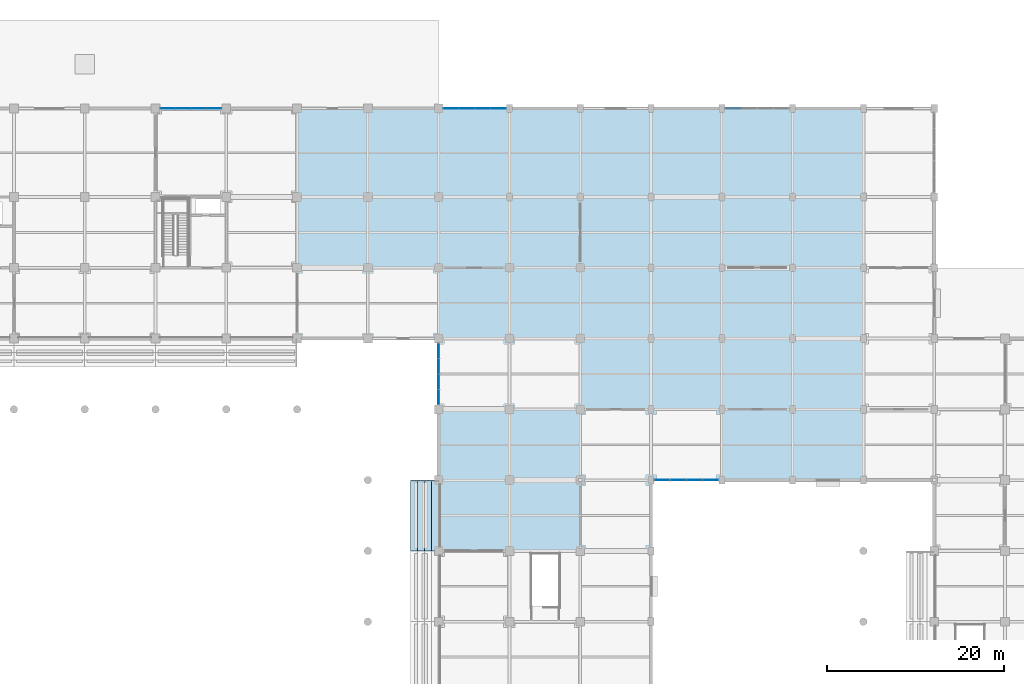
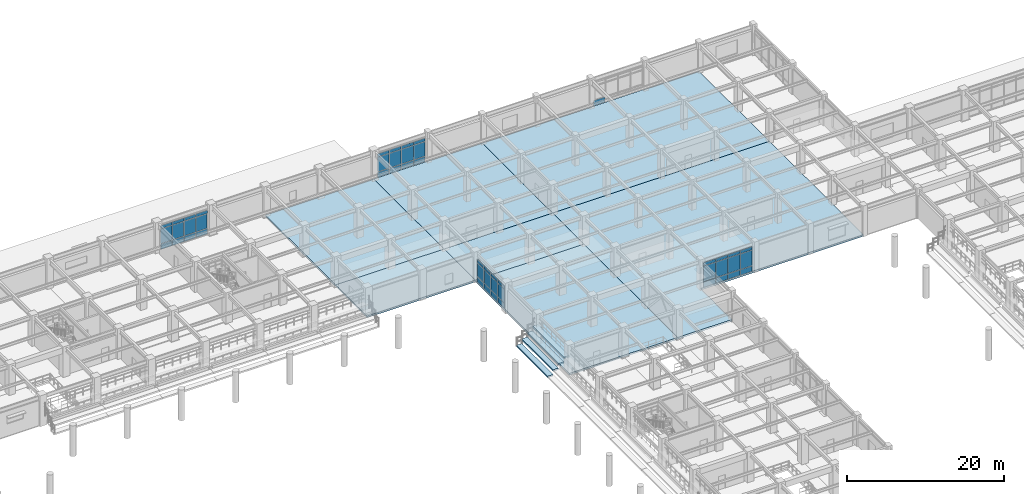
# One storey, part 68 of 117: 49 plates, 11 slabs, 5 elements without a shape of their own.
"""IFC4 building model written with IfcOpenShell, lengths in metres."""

from ifc_helpers import new_model, si_unit, direction, frame, origin, origin_2d, place, context, subcontext, project, spatial, polyline, rectangle, outline, extrude, material, layer, layer_set, type_object, element, aggregate, save


model = new_model("IFC4")

# Units and contexts
model_context = context("Model", 3, precision=1e-05, world=origin(), true_north=direction((0.0, 1.0)))
body_context = subcontext(model_context, "Body", "Model", "MODEL_VIEW")
ifc_project = project(units=[si_unit("LENGTHUNIT", "METRE"), si_unit("AREAUNIT", "SQUARE_METRE"), si_unit("VOLUMEUNIT", "CUBIC_METRE"), si_unit("PLANEANGLEUNIT", "RADIAN"), si_unit("MASSUNIT", "GRAM", prefix="KILO")], contexts=[model_context])

# Site, building, storey
site_placement = place(None, origin())
site = spatial("IfcSite", under=ifc_project, at=site_placement, CompositionType="ELEMENT")
building_placement = place(site_placement, origin())
building = spatial("IfcBuilding", under=site, at=building_placement, Name="Haebicheon Civic Stadium", CompositionType="ELEMENT")
storey_placement = place(building_placement, frame((0.0, 0.0, 4.800048828125)))
storey = spatial("IfcBuildingStorey", under=building, at=storey_placement, Name="L02", CompositionType="ELEMENT", Elevation=4.800048828125)

# Curtain wall, plates
ifc_material_1 = material(Name="Anodised aluminium and laminated glass", Category="aluminium")
ifc_layer_1 = layer(ifc_material_1, 0.179931640625, Name="Anodised aluminium and laminated glass")
ifc_layer_set_1 = layer_set([ifc_layer_1], Name="Anodised aluminium and laminated glass")
curtain_wall_type_1 = type_object("IfcCurtainWallType", Name="CW-7000x3770", PredefinedType="NOTDEFINED", material=ifc_layer_set_1)
curtain_wall_1_placement = place(storey_placement, origin())
curtain_wall_1 = element("IfcCurtainWall", 1, at=curtain_wall_1_placement, inside=storey, type_object=curtain_wall_type_1, material=ifc_layer_set_1, Name="L02 unitised curtain wall 048", PredefinedType="NOTDEFINED")
ifc_material_2 = material(Name="Double low-e laminated glass", Category="glass")
ifc_layer_2 = layer(ifc_material_2, 0.028076171875, Name="Double low-e laminated glass")
ifc_layer_set_2 = layer_set([ifc_layer_2], Name="Double low-e laminated glass")
plate_type_1 = type_object("IfcPlateType", Name="CWP-GLZ-28", PredefinedType="CURTAIN_PANEL", material=ifc_layer_set_2)
plate_1_placement = place(storey_placement, frame((113.39208984375, 178.0, 0.93505859375), z_axis=(0.0, 0.0, 1.0), x_axis=(1.0, 0.0, 0.0)))
plate_1 = element("IfcPlate", 2, at=plate_1_placement, type_object=plate_type_1, material=ifc_layer_set_2, Name="CW-L02-048 vision panel 1.2", PredefinedType="CURTAIN_PANEL", context=body_context, shape_type="SweptSolid", body=[
    extrude(rectangle(XDim=1.64501953125, YDim=0.028076171875, at=origin_2d()), origin(), (0.0, 0.0, 1.0), 2.25),
])
plate_2_placement = place(storey_placement, frame((115.125, 178.0, 0.93505859375), z_axis=(0.0, 0.0, 1.0), x_axis=(1.0, 0.0, 0.0)))
plate_2 = element("IfcPlate", 3, at=plate_2_placement, type_object=plate_type_1, material=ifc_layer_set_2, Name="CW-L02-048 vision panel 2.2", PredefinedType="CURTAIN_PANEL", context=body_context, shape_type="SweptSolid", body=[
    extrude(rectangle(XDim=1.679931640625, YDim=0.028076171875, at=origin_2d()), origin(), (0.0, 0.0, 1.0), 2.25),
])
plate_3_placement = place(storey_placement, frame((116.875, 178.0, 0.93505859375), z_axis=(0.0, 0.0, 1.0), x_axis=(1.0, 0.0, 0.0)))
plate_3 = element("IfcPlate", 4, at=plate_3_placement, type_object=plate_type_1, material=ifc_layer_set_2, Name="CW-L02-048 vision panel 3.2", PredefinedType="CURTAIN_PANEL", context=body_context, shape_type="SweptSolid", body=[
    extrude(rectangle(XDim=1.679931640625, YDim=0.028076171875, at=origin_2d()), origin(), (0.0, 0.0, 1.0), 2.25),
])
plate_4_placement = place(storey_placement, frame((118.60791015625, 178.0, 0.93505859375), z_axis=(0.0, 0.0, 1.0), x_axis=(1.0, 0.0, 0.0)))
plate_4 = element("IfcPlate", 5, at=plate_4_placement, type_object=plate_type_1, material=ifc_layer_set_2, Name="CW-L02-048 vision panel 4.2", PredefinedType="CURTAIN_PANEL", context=body_context, shape_type="SweptSolid", body=[
    extrude(rectangle(XDim=1.64501953125, YDim=0.028076171875, at=origin_2d()), origin(), (0.0, 0.0, 1.0), 2.25),
])

ifc_material_3 = material(Name="Anodised aluminium and laminated glass", Category="aluminium")
ifc_layer_3 = layer(ifc_material_3, 0.179931640625, Name="Anodised aluminium and laminated glass")
ifc_layer_set_3 = layer_set([ifc_layer_3], Name="Anodised aluminium and laminated glass")
curtain_wall_type_2 = type_object("IfcCurtainWallType", Name="CW-7000x3610", PredefinedType="NOTDEFINED", material=ifc_layer_set_3)
curtain_wall_2_placement = place(storey_placement, origin())
curtain_wall_2 = element("IfcCurtainWall", 6, at=curtain_wall_2_placement, inside=storey, type_object=curtain_wall_type_2, material=ifc_layer_set_3, Name="L02 unitised curtain wall 051", PredefinedType="NOTDEFINED")
plate_5_placement = place(storey_placement, frame((144.0, 145.39208984375, 0.93505859375), z_axis=(0.0, 0.0, 1.0), x_axis=(0.0, 1.0, 0.0)))
plate_5 = element("IfcPlate", 7, at=plate_5_placement, type_object=plate_type_1, material=ifc_layer_set_2, Name="CW-L02-051 vision panel 1.2", PredefinedType="CURTAIN_PANEL", context=body_context, shape_type="SweptSolid", body=[
    extrude(rectangle(XDim=1.64501953125, YDim=0.028076171875, at=origin_2d()), origin(), (0.0, 0.0, 1.0), 2.090087890625),
])
plate_6_placement = place(storey_placement, frame((144.0, 147.125, 0.93505859375), z_axis=(0.0, 0.0, 1.0), x_axis=(0.0, 1.0, 0.0)))
plate_6 = element("IfcPlate", 8, at=plate_6_placement, type_object=plate_type_1, material=ifc_layer_set_2, Name="CW-L02-051 vision panel 2.2", PredefinedType="CURTAIN_PANEL", context=body_context, shape_type="SweptSolid", body=[
    extrude(rectangle(XDim=1.679931640625, YDim=0.028076171875, at=origin_2d()), origin(), (0.0, 0.0, 1.0), 2.090087890625),
])
plate_7_placement = place(storey_placement, frame((144.0, 148.875, 0.93505859375), z_axis=(0.0, 0.0, 1.0), x_axis=(0.0, 1.0, 0.0)))
plate_7 = element("IfcPlate", 9, at=plate_7_placement, type_object=plate_type_1, material=ifc_layer_set_2, Name="CW-L02-051 vision panel 3.2", PredefinedType="CURTAIN_PANEL", context=body_context, shape_type="SweptSolid", body=[
    extrude(rectangle(XDim=1.679931640625, YDim=0.028076171875, at=origin_2d()), origin(), (0.0, 0.0, 1.0), 2.090087890625),
])
plate_8_placement = place(storey_placement, frame((144.0, 150.60791015625, 0.93505859375), z_axis=(0.0, 0.0, 1.0), x_axis=(0.0, 1.0, 0.0)))
plate_8 = element("IfcPlate", 10, at=plate_8_placement, type_object=plate_type_1, material=ifc_layer_set_2, Name="CW-L02-051 vision panel 4.2", PredefinedType="CURTAIN_PANEL", context=body_context, shape_type="SweptSolid", body=[
    extrude(rectangle(XDim=1.64501953125, YDim=0.028076171875, at=origin_2d()), origin(), (0.0, 0.0, 1.0), 2.090087890625),
])

ifc_material_4 = material(Name="Anodised aluminium and laminated glass", Category="aluminium")
ifc_layer_4 = layer(ifc_material_4, 0.179931640625, Name="Anodised aluminium and laminated glass")
ifc_layer_set_4 = layer_set([ifc_layer_4], Name="Anodised aluminium and laminated glass")
curtain_wall_type_3 = type_object("IfcCurtainWallType", Name="CW-7150x3770", PredefinedType="NOTDEFINED", material=ifc_layer_set_4)
curtain_wall_3_placement = place(storey_placement, origin())
curtain_wall_3 = element("IfcCurtainWall", 11, at=curtain_wall_3_placement, inside=storey, type_object=curtain_wall_type_3, material=ifc_layer_set_4, Name="L02 unitised curtain wall 052", PredefinedType="NOTDEFINED")
plate_9_placement = place(storey_placement, frame((145.412109375, 178.0, 0.93505859375), z_axis=(0.0, 0.0, 1.0), x_axis=(1.0, 0.0, 0.0)))
plate_9 = element("IfcPlate", 12, at=plate_9_placement, type_object=plate_type_1, material=ifc_layer_set_2, Name="CW-L02-052 vision panel 1.2", PredefinedType="CURTAIN_PANEL", context=body_context, shape_type="SweptSolid", body=[
    extrude(rectangle(XDim=1.68310546875, YDim=0.028076171875, at=origin_2d()), origin(), (0.0, 0.0, 1.0), 2.25),
])
plate_10_placement = place(storey_placement, frame((147.181884765625, 178.0, 0.93505859375), z_axis=(0.0, 0.0, 1.0), x_axis=(1.0, 0.0, 0.0)))
plate_10 = element("IfcPlate", 13, at=plate_10_placement, type_object=plate_type_1, material=ifc_layer_set_2, Name="CW-L02-052 vision panel 2.2", PredefinedType="CURTAIN_PANEL", context=body_context, shape_type="SweptSolid", body=[
    extrude(rectangle(XDim=1.717041015625, YDim=0.028076171875, at=origin_2d()), origin(), (0.0, 0.0, 1.0), 2.25),
])
plate_11_placement = place(storey_placement, frame((148.968994140625, 178.0, 0.93505859375), z_axis=(0.0, 0.0, 1.0), x_axis=(1.0, 0.0, 0.0)))
plate_11 = element("IfcPlate", 14, at=plate_11_placement, type_object=plate_type_1, material=ifc_layer_set_2, Name="CW-L02-052 vision panel 3.2", PredefinedType="CURTAIN_PANEL", context=body_context, shape_type="SweptSolid", body=[
    extrude(rectangle(XDim=1.718017578125, YDim=0.028076171875, at=origin_2d()), origin(), (0.0, 0.0, 1.0), 2.25),
])
plate_12_placement = place(storey_placement, frame((150.739013671875, 178.0, 0.93505859375), z_axis=(0.0, 0.0, 1.0), x_axis=(1.0, 0.0, 0.0)))
plate_12 = element("IfcPlate", 15, at=plate_12_placement, type_object=plate_type_1, material=ifc_layer_set_2, Name="CW-L02-052 vision panel 4.2", PredefinedType="CURTAIN_PANEL", context=body_context, shape_type="SweptSolid", body=[
    extrude(rectangle(XDim=1.681884765625, YDim=0.028076171875, at=origin_2d()), origin(), (0.0, 0.0, 1.0), 2.25),
])

ifc_material_5 = material(Name="Anodised aluminium and laminated glass", Category="aluminium")
ifc_layer_5 = layer(ifc_material_5, 0.179931640625, Name="Anodised aluminium and laminated glass")
ifc_layer_set_5 = layer_set([ifc_layer_5], Name="Anodised aluminium and laminated glass")
curtain_wall_type_4 = type_object("IfcCurtainWallType", Name="CW-7300x3910", PredefinedType="NOTDEFINED", material=ifc_layer_set_5)
curtain_wall_4_placement = place(storey_placement, origin())
curtain_wall_4 = element("IfcCurtainWall", 16, at=curtain_wall_4_placement, inside=storey, type_object=curtain_wall_type_4, material=ifc_layer_set_5, Name="L02 unitised curtain wall 057", PredefinedType="NOTDEFINED")
plate_13_placement = place(storey_placement, frame((169.280029296875, 136.0, 0.93505859375), z_axis=(0.0, 0.0, 1.0), x_axis=(1.0, 0.0, 0.0)))
plate_13 = element("IfcPlate", 17, at=plate_13_placement, type_object=plate_type_1, material=ifc_layer_set_2, Name="CW-L02-057 vision panel 1.2", PredefinedType="CURTAIN_PANEL", context=body_context, shape_type="SweptSolid", body=[
    extrude(rectangle(XDim=1.719970703125, YDim=0.028076171875, at=origin_2d()), origin(), (0.0, 0.0, 1.0), 2.389892578125),
])
plate_14_placement = place(storey_placement, frame((171.087890625, 136.0, 0.93505859375), z_axis=(0.0, 0.0, 1.0), x_axis=(1.0, 0.0, 0.0)))
plate_14 = element("IfcPlate", 18, at=plate_14_placement, type_object=plate_type_1, material=ifc_layer_set_2, Name="CW-L02-057 vision panel 2.2", PredefinedType="CURTAIN_PANEL", context=body_context, shape_type="SweptSolid", body=[
    extrude(rectangle(XDim=1.7548828125, YDim=0.028076171875, at=origin_2d()), origin(), (0.0, 0.0, 1.0), 2.389892578125),
])
plate_15_placement = place(storey_placement, frame((172.912109375, 136.0, 0.93505859375), z_axis=(0.0, 0.0, 1.0), x_axis=(1.0, 0.0, 0.0)))
plate_15 = element("IfcPlate", 19, at=plate_15_placement, type_object=plate_type_1, material=ifc_layer_set_2, Name="CW-L02-057 vision panel 3.2", PredefinedType="CURTAIN_PANEL", context=body_context, shape_type="SweptSolid", body=[
    extrude(rectangle(XDim=1.7548828125, YDim=0.028076171875, at=origin_2d()), origin(), (0.0, 0.0, 1.0), 2.389892578125),
])
plate_16_placement = place(storey_placement, frame((174.719970703125, 136.0, 0.93505859375), z_axis=(0.0, 0.0, 1.0), x_axis=(1.0, 0.0, 0.0)))
plate_16 = element("IfcPlate", 20, at=plate_16_placement, type_object=plate_type_1, material=ifc_layer_set_2, Name="CW-L02-057 vision panel 4.2", PredefinedType="CURTAIN_PANEL", context=body_context, shape_type="SweptSolid", body=[
    extrude(rectangle(XDim=1.719970703125, YDim=0.028076171875, at=origin_2d()), origin(), (0.0, 0.0, 1.0), 2.389892578125),
])

# Plate
ifc_material_6 = material(Name="Anodised aluminium 6063-T6", Category="aluminium")
ifc_layer_6 = layer(ifc_material_6, 0.053955078125, Name="Anodised aluminium 6063-T6")
ifc_layer_set_6 = layer_set([ifc_layer_6], Name="Anodised aluminium 6063-T6")
plate_type_2 = type_object("IfcPlateType", Name="CWP-SPD-54", PredefinedType="CURTAIN_PANEL", material=ifc_layer_set_6)
plate_17_placement = place(storey_placement, frame((113.39208984375, 178.0, 0.034912109375), z_axis=(0.0, 0.0, 1.0), x_axis=(1.0, 0.0, 0.0)))
plate_17 = element("IfcPlate", 21, at=plate_17_placement, type_object=plate_type_2, material=ifc_layer_set_6, Name="CW-L02-048 spandrel panel 1.1", PredefinedType="CURTAIN_PANEL", context=body_context, shape_type="SweptSolid", body=[
    extrude(rectangle(XDim=1.64501953125, YDim=0.053955078125, at=origin_2d()), origin(), (0.0, 0.0, 1.0), 0.830078125),
])

plate_18_placement = place(storey_placement, frame((113.39208984375, 178.0, 3.2548828125), z_axis=(0.0, 0.0, 1.0), x_axis=(1.0, 0.0, 0.0)))
plate_18 = element("IfcPlate", 22, at=plate_18_placement, type_object=plate_type_2, material=ifc_layer_set_6, Name="CW-L02-048 spandrel panel 1.3", PredefinedType="CURTAIN_PANEL", context=body_context, shape_type="SweptSolid", body=[
    extrude(rectangle(XDim=1.64501953125, YDim=0.053955078125, at=origin_2d()), origin(), (0.0, 0.0, 1.0), 0.47998046875),
])

plate_19_placement = place(storey_placement, frame((115.125, 178.0, 0.034912109375), z_axis=(0.0, 0.0, 1.0), x_axis=(1.0, 0.0, 0.0)))
plate_19 = element("IfcPlate", 23, at=plate_19_placement, type_object=plate_type_2, material=ifc_layer_set_6, Name="CW-L02-048 spandrel panel 2.1", PredefinedType="CURTAIN_PANEL", context=body_context, shape_type="SweptSolid", body=[
    extrude(rectangle(XDim=1.679931640625, YDim=0.053955078125, at=origin_2d()), origin(), (0.0, 0.0, 1.0), 0.830078125),
])

plate_20_placement = place(storey_placement, frame((115.125, 178.0, 3.2548828125), z_axis=(0.0, 0.0, 1.0), x_axis=(1.0, 0.0, 0.0)))
plate_20 = element("IfcPlate", 24, at=plate_20_placement, type_object=plate_type_2, material=ifc_layer_set_6, Name="CW-L02-048 spandrel panel 2.3", PredefinedType="CURTAIN_PANEL", context=body_context, shape_type="SweptSolid", body=[
    extrude(rectangle(XDim=1.679931640625, YDim=0.053955078125, at=origin_2d()), origin(), (0.0, 0.0, 1.0), 0.47998046875),
])

plate_21_placement = place(storey_placement, frame((116.875, 178.0, 0.034912109375), z_axis=(0.0, 0.0, 1.0), x_axis=(1.0, 0.0, 0.0)))
plate_21 = element("IfcPlate", 25, at=plate_21_placement, type_object=plate_type_2, material=ifc_layer_set_6, Name="CW-L02-048 spandrel panel 3.1", PredefinedType="CURTAIN_PANEL", context=body_context, shape_type="SweptSolid", body=[
    extrude(rectangle(XDim=1.679931640625, YDim=0.053955078125, at=origin_2d()), origin(), (0.0, 0.0, 1.0), 0.830078125),
])

plate_22_placement = place(storey_placement, frame((116.875, 178.0, 3.2548828125), z_axis=(0.0, 0.0, 1.0), x_axis=(1.0, 0.0, 0.0)))
plate_22 = element("IfcPlate", 26, at=plate_22_placement, type_object=plate_type_2, material=ifc_layer_set_6, Name="CW-L02-048 spandrel panel 3.3", PredefinedType="CURTAIN_PANEL", context=body_context, shape_type="SweptSolid", body=[
    extrude(rectangle(XDim=1.679931640625, YDim=0.053955078125, at=origin_2d()), origin(), (0.0, 0.0, 1.0), 0.47998046875),
])

plate_23_placement = place(storey_placement, frame((118.60791015625, 178.0, 0.034912109375), z_axis=(0.0, 0.0, 1.0), x_axis=(1.0, 0.0, 0.0)))
plate_23 = element("IfcPlate", 27, at=plate_23_placement, type_object=plate_type_2, material=ifc_layer_set_6, Name="CW-L02-048 spandrel panel 4.1", PredefinedType="CURTAIN_PANEL", context=body_context, shape_type="SweptSolid", body=[
    extrude(rectangle(XDim=1.64501953125, YDim=0.053955078125, at=origin_2d()), origin(), (0.0, 0.0, 1.0), 0.830078125),
])

plate_24_placement = place(storey_placement, frame((118.60791015625, 178.0, 3.2548828125), z_axis=(0.0, 0.0, 1.0), x_axis=(1.0, 0.0, 0.0)))
plate_24 = element("IfcPlate", 28, at=plate_24_placement, type_object=plate_type_2, material=ifc_layer_set_6, Name="CW-L02-048 spandrel panel 4.3", PredefinedType="CURTAIN_PANEL", context=body_context, shape_type="SweptSolid", body=[
    extrude(rectangle(XDim=1.64501953125, YDim=0.053955078125, at=origin_2d()), origin(), (0.0, 0.0, 1.0), 0.47998046875),
])

aggregate(curtain_wall_1, [plate_17, plate_1, plate_18, plate_19, plate_2, plate_20, plate_21, plate_3, plate_22, plate_23, plate_4, plate_24])

plate_25_placement = place(storey_placement, frame((144.0, 145.39208984375, 0.034912109375), z_axis=(0.0, 0.0, 1.0), x_axis=(0.0, 1.0, 0.0)))
plate_25 = element("IfcPlate", 29, at=plate_25_placement, type_object=plate_type_2, material=ifc_layer_set_6, Name="CW-L02-051 spandrel panel 1.1", PredefinedType="CURTAIN_PANEL", context=body_context, shape_type="SweptSolid", body=[
    extrude(rectangle(XDim=1.64501953125, YDim=0.053955078125, at=origin_2d()), origin(), (0.0, 0.0, 1.0), 0.830078125),
])

plate_26_placement = place(storey_placement, frame((144.0, 145.39208984375, 3.094970703125), z_axis=(0.0, 0.0, 1.0), x_axis=(0.0, 1.0, 0.0)))
plate_26 = element("IfcPlate", 30, at=plate_26_placement, type_object=plate_type_2, material=ifc_layer_set_6, Name="CW-L02-051 spandrel panel 1.3", PredefinedType="CURTAIN_PANEL", context=body_context, shape_type="SweptSolid", body=[
    extrude(rectangle(XDim=1.64501953125, YDim=0.053955078125, at=origin_2d()), origin(), (0.0, 0.0, 1.0), 0.47998046875),
])

plate_27_placement = place(storey_placement, frame((144.0, 147.125, 0.034912109375), z_axis=(0.0, 0.0, 1.0), x_axis=(0.0, 1.0, 0.0)))
plate_27 = element("IfcPlate", 31, at=plate_27_placement, type_object=plate_type_2, material=ifc_layer_set_6, Name="CW-L02-051 spandrel panel 2.1", PredefinedType="CURTAIN_PANEL", context=body_context, shape_type="SweptSolid", body=[
    extrude(rectangle(XDim=1.679931640625, YDim=0.053955078125, at=origin_2d()), origin(), (0.0, 0.0, 1.0), 0.830078125),
])

plate_28_placement = place(storey_placement, frame((144.0, 147.125, 3.094970703125), z_axis=(0.0, 0.0, 1.0), x_axis=(0.0, 1.0, 0.0)))
plate_28 = element("IfcPlate", 32, at=plate_28_placement, type_object=plate_type_2, material=ifc_layer_set_6, Name="CW-L02-051 spandrel panel 2.3", PredefinedType="CURTAIN_PANEL", context=body_context, shape_type="SweptSolid", body=[
    extrude(rectangle(XDim=1.679931640625, YDim=0.053955078125, at=origin_2d()), origin(), (0.0, 0.0, 1.0), 0.47998046875),
])

plate_29_placement = place(storey_placement, frame((144.0, 148.875, 0.034912109375), z_axis=(0.0, 0.0, 1.0), x_axis=(0.0, 1.0, 0.0)))
plate_29 = element("IfcPlate", 33, at=plate_29_placement, type_object=plate_type_2, material=ifc_layer_set_6, Name="CW-L02-051 spandrel panel 3.1", PredefinedType="CURTAIN_PANEL", context=body_context, shape_type="SweptSolid", body=[
    extrude(rectangle(XDim=1.679931640625, YDim=0.053955078125, at=origin_2d()), origin(), (0.0, 0.0, 1.0), 0.830078125),
])

plate_30_placement = place(storey_placement, frame((144.0, 148.875, 3.094970703125), z_axis=(0.0, 0.0, 1.0), x_axis=(0.0, 1.0, 0.0)))
plate_30 = element("IfcPlate", 34, at=plate_30_placement, type_object=plate_type_2, material=ifc_layer_set_6, Name="CW-L02-051 spandrel panel 3.3", PredefinedType="CURTAIN_PANEL", context=body_context, shape_type="SweptSolid", body=[
    extrude(rectangle(XDim=1.679931640625, YDim=0.053955078125, at=origin_2d()), origin(), (0.0, 0.0, 1.0), 0.47998046875),
])

plate_31_placement = place(storey_placement, frame((144.0, 150.60791015625, 0.034912109375), z_axis=(0.0, 0.0, 1.0), x_axis=(0.0, 1.0, 0.0)))
plate_31 = element("IfcPlate", 35, at=plate_31_placement, type_object=plate_type_2, material=ifc_layer_set_6, Name="CW-L02-051 spandrel panel 4.1", PredefinedType="CURTAIN_PANEL", context=body_context, shape_type="SweptSolid", body=[
    extrude(rectangle(XDim=1.64501953125, YDim=0.053955078125, at=origin_2d()), origin(), (0.0, 0.0, 1.0), 0.830078125),
])

plate_32_placement = place(storey_placement, frame((144.0, 150.60791015625, 3.094970703125), z_axis=(0.0, 0.0, 1.0), x_axis=(0.0, 1.0, 0.0)))
plate_32 = element("IfcPlate", 36, at=plate_32_placement, type_object=plate_type_2, material=ifc_layer_set_6, Name="CW-L02-051 spandrel panel 4.3", PredefinedType="CURTAIN_PANEL", context=body_context, shape_type="SweptSolid", body=[
    extrude(rectangle(XDim=1.64501953125, YDim=0.053955078125, at=origin_2d()), origin(), (0.0, 0.0, 1.0), 0.47998046875),
])

aggregate(curtain_wall_2, [plate_25, plate_5, plate_26, plate_27, plate_6, plate_28, plate_29, plate_7, plate_30, plate_31, plate_8, plate_32])

plate_33_placement = place(storey_placement, frame((145.412109375, 178.0, 0.034912109375), z_axis=(0.0, 0.0, 1.0), x_axis=(1.0, 0.0, 0.0)))
plate_33 = element("IfcPlate", 37, at=plate_33_placement, type_object=plate_type_2, material=ifc_layer_set_6, Name="CW-L02-052 spandrel panel 1.1", PredefinedType="CURTAIN_PANEL", context=body_context, shape_type="SweptSolid", body=[
    extrude(rectangle(XDim=1.68310546875, YDim=0.053955078125, at=origin_2d()), origin(), (0.0, 0.0, 1.0), 0.830078125),
])

plate_34_placement = place(storey_placement, frame((145.412109375, 178.0, 3.2548828125), z_axis=(0.0, 0.0, 1.0), x_axis=(1.0, 0.0, 0.0)))
plate_34 = element("IfcPlate", 38, at=plate_34_placement, type_object=plate_type_2, material=ifc_layer_set_6, Name="CW-L02-052 spandrel panel 1.3", PredefinedType="CURTAIN_PANEL", context=body_context, shape_type="SweptSolid", body=[
    extrude(rectangle(XDim=1.68310546875, YDim=0.053955078125, at=origin_2d()), origin(), (0.0, 0.0, 1.0), 0.47998046875),
])

plate_35_placement = place(storey_placement, frame((147.181884765625, 178.0, 0.034912109375), z_axis=(0.0, 0.0, 1.0), x_axis=(1.0, 0.0, 0.0)))
plate_35 = element("IfcPlate", 39, at=plate_35_placement, type_object=plate_type_2, material=ifc_layer_set_6, Name="CW-L02-052 spandrel panel 2.1", PredefinedType="CURTAIN_PANEL", context=body_context, shape_type="SweptSolid", body=[
    extrude(rectangle(XDim=1.717041015625, YDim=0.053955078125, at=origin_2d()), origin(), (0.0, 0.0, 1.0), 0.830078125),
])

plate_36_placement = place(storey_placement, frame((147.181884765625, 178.0, 3.2548828125), z_axis=(0.0, 0.0, 1.0), x_axis=(1.0, 0.0, 0.0)))
plate_36 = element("IfcPlate", 40, at=plate_36_placement, type_object=plate_type_2, material=ifc_layer_set_6, Name="CW-L02-052 spandrel panel 2.3", PredefinedType="CURTAIN_PANEL", context=body_context, shape_type="SweptSolid", body=[
    extrude(rectangle(XDim=1.717041015625, YDim=0.053955078125, at=origin_2d()), origin(), (0.0, 0.0, 1.0), 0.47998046875),
])

plate_37_placement = place(storey_placement, frame((148.968994140625, 178.0, 0.034912109375), z_axis=(0.0, 0.0, 1.0), x_axis=(1.0, 0.0, 0.0)))
plate_37 = element("IfcPlate", 41, at=plate_37_placement, type_object=plate_type_2, material=ifc_layer_set_6, Name="CW-L02-052 spandrel panel 3.1", PredefinedType="CURTAIN_PANEL", context=body_context, shape_type="SweptSolid", body=[
    extrude(rectangle(XDim=1.718017578125, YDim=0.053955078125, at=origin_2d()), origin(), (0.0, 0.0, 1.0), 0.830078125),
])

plate_38_placement = place(storey_placement, frame((148.968994140625, 178.0, 3.2548828125), z_axis=(0.0, 0.0, 1.0), x_axis=(1.0, 0.0, 0.0)))
plate_38 = element("IfcPlate", 42, at=plate_38_placement, type_object=plate_type_2, material=ifc_layer_set_6, Name="CW-L02-052 spandrel panel 3.3", PredefinedType="CURTAIN_PANEL", context=body_context, shape_type="SweptSolid", body=[
    extrude(rectangle(XDim=1.718017578125, YDim=0.053955078125, at=origin_2d()), origin(), (0.0, 0.0, 1.0), 0.47998046875),
])

plate_39_placement = place(storey_placement, frame((150.739013671875, 178.0, 0.034912109375), z_axis=(0.0, 0.0, 1.0), x_axis=(1.0, 0.0, 0.0)))
plate_39 = element("IfcPlate", 43, at=plate_39_placement, type_object=plate_type_2, material=ifc_layer_set_6, Name="CW-L02-052 spandrel panel 4.1", PredefinedType="CURTAIN_PANEL", context=body_context, shape_type="SweptSolid", body=[
    extrude(rectangle(XDim=1.681884765625, YDim=0.053955078125, at=origin_2d()), origin(), (0.0, 0.0, 1.0), 0.830078125),
])

plate_40_placement = place(storey_placement, frame((150.739013671875, 178.0, 3.2548828125), z_axis=(0.0, 0.0, 1.0), x_axis=(1.0, 0.0, 0.0)))
plate_40 = element("IfcPlate", 44, at=plate_40_placement, type_object=plate_type_2, material=ifc_layer_set_6, Name="CW-L02-052 spandrel panel 4.3", PredefinedType="CURTAIN_PANEL", context=body_context, shape_type="SweptSolid", body=[
    extrude(rectangle(XDim=1.681884765625, YDim=0.053955078125, at=origin_2d()), origin(), (0.0, 0.0, 1.0), 0.47998046875),
])

aggregate(curtain_wall_3, [plate_33, plate_9, plate_34, plate_35, plate_10, plate_36, plate_37, plate_11, plate_38, plate_39, plate_12, plate_40])

plate_41_placement = place(storey_placement, frame((169.280029296875, 136.0, 0.034912109375), z_axis=(0.0, 0.0, 1.0), x_axis=(1.0, 0.0, 0.0)))
plate_41 = element("IfcPlate", 45, at=plate_41_placement, type_object=plate_type_2, material=ifc_layer_set_6, Name="CW-L02-057 spandrel panel 1.1", PredefinedType="CURTAIN_PANEL", context=body_context, shape_type="SweptSolid", body=[
    extrude(rectangle(XDim=1.719970703125, YDim=0.053955078125, at=origin_2d()), origin(), (0.0, 0.0, 1.0), 0.830078125),
])

plate_42_placement = place(storey_placement, frame((169.280029296875, 136.0, 3.39501953125), z_axis=(0.0, 0.0, 1.0), x_axis=(1.0, 0.0, 0.0)))
plate_42 = element("IfcPlate", 46, at=plate_42_placement, type_object=plate_type_2, material=ifc_layer_set_6, Name="CW-L02-057 spandrel panel 1.3", PredefinedType="CURTAIN_PANEL", context=body_context, shape_type="SweptSolid", body=[
    extrude(rectangle(XDim=1.719970703125, YDim=0.053955078125, at=origin_2d()), origin(), (0.0, 0.0, 1.0), 0.47998046875),
])

plate_43_placement = place(storey_placement, frame((171.087890625, 136.0, 0.034912109375), z_axis=(0.0, 0.0, 1.0), x_axis=(1.0, 0.0, 0.0)))
plate_43 = element("IfcPlate", 47, at=plate_43_placement, type_object=plate_type_2, material=ifc_layer_set_6, Name="CW-L02-057 spandrel panel 2.1", PredefinedType="CURTAIN_PANEL", context=body_context, shape_type="SweptSolid", body=[
    extrude(rectangle(XDim=1.7548828125, YDim=0.053955078125, at=origin_2d()), origin(), (0.0, 0.0, 1.0), 0.830078125),
])

plate_44_placement = place(storey_placement, frame((171.087890625, 136.0, 3.39501953125), z_axis=(0.0, 0.0, 1.0), x_axis=(1.0, 0.0, 0.0)))
plate_44 = element("IfcPlate", 48, at=plate_44_placement, type_object=plate_type_2, material=ifc_layer_set_6, Name="CW-L02-057 spandrel panel 2.3", PredefinedType="CURTAIN_PANEL", context=body_context, shape_type="SweptSolid", body=[
    extrude(rectangle(XDim=1.7548828125, YDim=0.053955078125, at=origin_2d()), origin(), (0.0, 0.0, 1.0), 0.47998046875),
])

plate_45_placement = place(storey_placement, frame((172.912109375, 136.0, 0.034912109375), z_axis=(0.0, 0.0, 1.0), x_axis=(1.0, 0.0, 0.0)))
plate_45 = element("IfcPlate", 49, at=plate_45_placement, type_object=plate_type_2, material=ifc_layer_set_6, Name="CW-L02-057 spandrel panel 3.1", PredefinedType="CURTAIN_PANEL", context=body_context, shape_type="SweptSolid", body=[
    extrude(rectangle(XDim=1.7548828125, YDim=0.053955078125, at=origin_2d()), origin(), (0.0, 0.0, 1.0), 0.830078125),
])

plate_46_placement = place(storey_placement, frame((172.912109375, 136.0, 3.39501953125), z_axis=(0.0, 0.0, 1.0), x_axis=(1.0, 0.0, 0.0)))
plate_46 = element("IfcPlate", 50, at=plate_46_placement, type_object=plate_type_2, material=ifc_layer_set_6, Name="CW-L02-057 spandrel panel 3.3", PredefinedType="CURTAIN_PANEL", context=body_context, shape_type="SweptSolid", body=[
    extrude(rectangle(XDim=1.7548828125, YDim=0.053955078125, at=origin_2d()), origin(), (0.0, 0.0, 1.0), 0.47998046875),
])

plate_47_placement = place(storey_placement, frame((174.719970703125, 136.0, 0.034912109375), z_axis=(0.0, 0.0, 1.0), x_axis=(1.0, 0.0, 0.0)))
plate_47 = element("IfcPlate", 51, at=plate_47_placement, type_object=plate_type_2, material=ifc_layer_set_6, Name="CW-L02-057 spandrel panel 4.1", PredefinedType="CURTAIN_PANEL", context=body_context, shape_type="SweptSolid", body=[
    extrude(rectangle(XDim=1.719970703125, YDim=0.053955078125, at=origin_2d()), origin(), (0.0, 0.0, 1.0), 0.830078125),
])

plate_48_placement = place(storey_placement, frame((174.719970703125, 136.0, 3.39501953125), z_axis=(0.0, 0.0, 1.0), x_axis=(1.0, 0.0, 0.0)))
plate_48 = element("IfcPlate", 52, at=plate_48_placement, type_object=plate_type_2, material=ifc_layer_set_6, Name="CW-L02-057 spandrel panel 4.3", PredefinedType="CURTAIN_PANEL", context=body_context, shape_type="SweptSolid", body=[
    extrude(rectangle(XDim=1.719970703125, YDim=0.053955078125, at=origin_2d()), origin(), (0.0, 0.0, 1.0), 0.47998046875),
])

aggregate(curtain_wall_4, [plate_41, plate_13, plate_42, plate_43, plate_14, plate_44, plate_45, plate_15, plate_46, plate_47, plate_16, plate_48])

# Curtain wall, plate
ifc_material_7 = material(Name="Anodised aluminium and laminated glass", Category="aluminium")
ifc_layer_7 = layer(ifc_material_7, 0.179931640625, Name="Anodised aluminium and laminated glass")
ifc_layer_set_7 = layer_set([ifc_layer_7], Name="Anodised aluminium and laminated glass")
curtain_wall_type_5 = type_object("IfcCurtainWallType", Name="CW-7300x3710", PredefinedType="NOTDEFINED", material=ifc_layer_set_7)
curtain_wall_5_placement = place(storey_placement, origin())
curtain_wall_5 = element("IfcCurtainWall", 53, at=curtain_wall_5_placement, inside=storey, type_object=curtain_wall_type_5, material=ifc_layer_set_7, Name="L02 unitised curtain wall 059", PredefinedType="NOTDEFINED")
plate_49_placement = place(storey_placement, frame((177.280029296875, 178.0, 0.034912109375), z_axis=(0.0, 0.0, 1.0), x_axis=(1.0, 0.0, 0.0)))
plate_49 = element("IfcPlate", 54, at=plate_49_placement, type_object=plate_type_2, material=ifc_layer_set_6, Name="CW-L02-059 spandrel panel 1.1", PredefinedType="CURTAIN_PANEL", context=body_context, shape_type="SweptSolid", body=[
    extrude(rectangle(XDim=1.719970703125, YDim=0.053955078125, at=origin_2d()), origin(), (0.0, 0.0, 1.0), 0.830078125),
])
aggregate(curtain_wall_5, [plate_49])

# Slabs
ifc_material_8 = material(Name="Concrete C40/50", Category="concrete")
ifc_layer_8 = layer(ifc_material_8, 0.280029296875, Name="Concrete C40/50")
ifc_layer_set_8 = layer_set([ifc_layer_8], Name="Concrete C40/50")
slab_type_1 = type_object("IfcSlabType", Name="SLB-FLR-280", PredefinedType="FLOOR", material=ifc_layer_set_8)
slab_1_placement = place(storey_placement, frame((0.0, 0.0, -0.280029296875)))
element("IfcSlab", 55, at=slab_1_placement, inside=storey, type_object=slab_type_1, material=ifc_layer_set_8, Name="L02 V2 structural slab 11.1", PredefinedType="FLOOR", context=body_context, shape_type="SweptSolid", body=[
    extrude(outline(polyline([(136.0, 160.0), (144.0, 160.0), (144.0, 152.0), (136.0, 152.0), (128.0, 152.0), (128.0, 160.0), (136.0, 160.0)])), origin(), (0.0, 0.0, 1.0), 0.280029296875),
])
slab_2_placement = place(storey_placement, frame((0.0, 0.0, -0.280029296875)))
element("IfcSlab", 56, at=slab_2_placement, inside=storey, type_object=slab_type_1, material=ifc_layer_set_8, Name="L02 V2 structural slab 11.2", PredefinedType="FLOOR", context=body_context, shape_type="SweptSolid", body=[
    extrude(outline(polyline([(144.0, 152.0), (152.0, 152.0), (160.0, 152.0), (160.0, 144.0), (160.0, 136.0), (160.0, 128.0), (152.0, 128.0), (144.0, 128.0), (144.0, 136.0), (144.0, 144.0), (144.0, 152.0)])), origin(), (0.0, 0.0, 1.0), 0.280029296875),
])
slab_3_placement = place(storey_placement, frame((0.0, 0.0, -0.280029296875)))
element("IfcSlab", 57, at=slab_3_placement, inside=storey, type_object=slab_type_1, material=ifc_layer_set_8, Name="L02 V2 structural slab 12.1", PredefinedType="FLOOR", context=body_context, shape_type="SweptSolid", body=[
    extrude(outline(polyline([(128.0, 168.0), (128.0, 178.0), (136.0, 178.0), (144.0, 178.0), (144.0, 168.0), (144.0, 160.0), (136.0, 160.0), (128.0, 160.0), (128.0, 168.0)])), origin(), (0.0, 0.0, 1.0), 0.280029296875),
])
slab_4_placement = place(storey_placement, frame((0.0, 0.0, -0.280029296875)))
element("IfcSlab", 58, at=slab_4_placement, inside=storey, type_object=slab_type_1, material=ifc_layer_set_8, Name="L02 V4 structural slab 2.1", PredefinedType="FLOOR", context=body_context, shape_type="SweptSolid", body=[
    extrude(outline(polyline([(144.0, 152.0), (144.0, 160.0), (152.0, 160.0), (160.0, 160.0), (160.0, 152.0), (152.0, 152.0), (144.0, 152.0)])), origin(), (0.0, 0.0, 1.0), 0.280029296875),
])
slab_5_placement = place(storey_placement, frame((0.0, 0.0, -0.280029296875)))
element("IfcSlab", 59, at=slab_5_placement, inside=storey, type_object=slab_type_1, material=ifc_layer_set_8, Name="L02 V4 structural slab 3.1", PredefinedType="FLOOR", context=body_context, shape_type="SweptSolid", body=[
    extrude(outline(polyline([(144.0, 168.0), (144.0, 178.0), (152.0, 178.0), (160.0, 178.0), (160.0, 168.0), (160.0, 160.0), (152.0, 160.0), (144.0, 160.0), (144.0, 168.0)])), origin(), (0.0, 0.0, 1.0), 0.280029296875),
])
slab_6_placement = place(storey_placement, frame((0.0, 0.0, -0.280029296875)))
element("IfcSlab", 60, at=slab_6_placement, inside=storey, type_object=slab_type_1, material=ifc_layer_set_8, Name="L02 V4 structural slab 8.1", PredefinedType="FLOOR", context=body_context, shape_type="SweptSolid", body=[
    extrude(outline(polyline([(160.0, 136.0), (160.0, 144.0), (160.0, 152.0), (160.0, 160.0), (168.0, 160.0), (176.0, 160.0), (184.0, 160.0), (192.0, 160.0), (192.0, 152.0), (192.0, 144.0), (192.0, 136.0), (184.0, 136.0), (176.0, 136.0), (168.0, 136.0), (168.0, 128.0), (160.0, 128.0), (160.0, 136.0)])), origin(), (0.0, 0.0, 1.0), 0.280029296875),
])
slab_7_placement = place(storey_placement, frame((0.0, 0.0, -0.280029296875)))
element("IfcSlab", 61, at=slab_7_placement, inside=storey, type_object=slab_type_1, material=ifc_layer_set_8, Name="L02 V4 structural slab 9.1", PredefinedType="FLOOR", context=body_context, shape_type="SweptSolid", body=[
    extrude(outline(polyline([(192.0, 160.0), (184.0, 160.0), (176.0, 160.0), (168.0, 160.0), (160.0, 160.0), (160.0, 168.0), (160.0, 178.0), (168.0, 178.0), (176.0, 178.0), (184.0, 178.0), (192.0, 178.0), (192.0, 168.0), (192.0, 160.0)])), origin(), (0.0, 0.0, 1.0), 0.280029296875),
])
ifc_material_9 = material(Name="Precast concrete C40/50", Category="concrete")
ifc_layer_9 = layer(ifc_material_9, 0.239990234375, Name="Precast concrete C40/50")
ifc_layer_set_9 = layer_set([ifc_layer_9], Name="Precast concrete C40/50")
slab_type_2 = type_object("IfcSlabType", Name="SLB-TIER-240", PredefinedType="USERDEFINED", material=ifc_layer_set_9)
slab_8_placement = place(storey_placement, frame((0.0, 0.0, 0.427001953125)))
element("IfcSlab", 62, at=slab_8_placement, inside=storey, type_object=slab_type_2, material=ifc_layer_set_9, Name="TIER-E-L precast seating tier bay 11 row-band 7", ObjectType="SEATING TIER", PredefinedType="USERDEFINED", context=body_context, shape_type="SweptSolid", body=[
    extrude(outline(polyline([(140.800048828125, 128.0), (141.60009765625, 128.0), (141.60009765625, 136.0), (140.800048828125, 136.0), (140.800048828125, 128.0)])), origin(), (0.0, 0.0, 1.0), 0.239990234375),
])
slab_9_placement = place(storey_placement, frame((0.0, 0.0, 1.137939453125)))
element("IfcSlab", 63, at=slab_9_placement, inside=storey, type_object=slab_type_2, material=ifc_layer_set_9, Name="TIER-E-L precast seating tier bay 11 row-band 8", ObjectType="SEATING TIER", PredefinedType="USERDEFINED", context=body_context, shape_type="SweptSolid", body=[
    extrude(outline(polyline([(141.60009765625, 128.0), (142.39990234375, 128.0), (142.39990234375, 136.0), (141.60009765625, 136.0), (141.60009765625, 128.0)])), origin(), (0.0, 0.0, 1.0), 0.239990234375),
])
slab_10_placement = place(storey_placement, frame((0.0, 0.0, 1.848876953125)))
element("IfcSlab", 64, at=slab_10_placement, inside=storey, type_object=slab_type_2, material=ifc_layer_set_9, Name="TIER-E-L precast seating tier bay 11 row-band 9", ObjectType="SEATING TIER", PredefinedType="USERDEFINED", context=body_context, shape_type="SweptSolid", body=[
    extrude(outline(polyline([(142.39990234375, 128.0), (143.199951171875, 128.0), (143.199951171875, 136.0), (142.39990234375, 136.0), (142.39990234375, 128.0)])), origin(), (0.0, 0.0, 1.0), 0.239990234375),
])
slab_11_placement = place(storey_placement, frame((0.0, 0.0, 2.56005859375)))
element("IfcSlab", 65, at=slab_11_placement, inside=storey, type_object=slab_type_2, material=ifc_layer_set_9, Name="TIER-E-L precast seating tier bay 11 row-band 10", ObjectType="SEATING TIER", PredefinedType="USERDEFINED", context=body_context, shape_type="SweptSolid", body=[
    extrude(outline(polyline([(143.199951171875, 128.0), (144.0, 128.0), (144.0, 136.0), (143.199951171875, 136.0), (143.199951171875, 128.0)])), origin(), (0.0, 0.0, 1.0), 0.239990234375),
])

save(model, "model.ifc")
